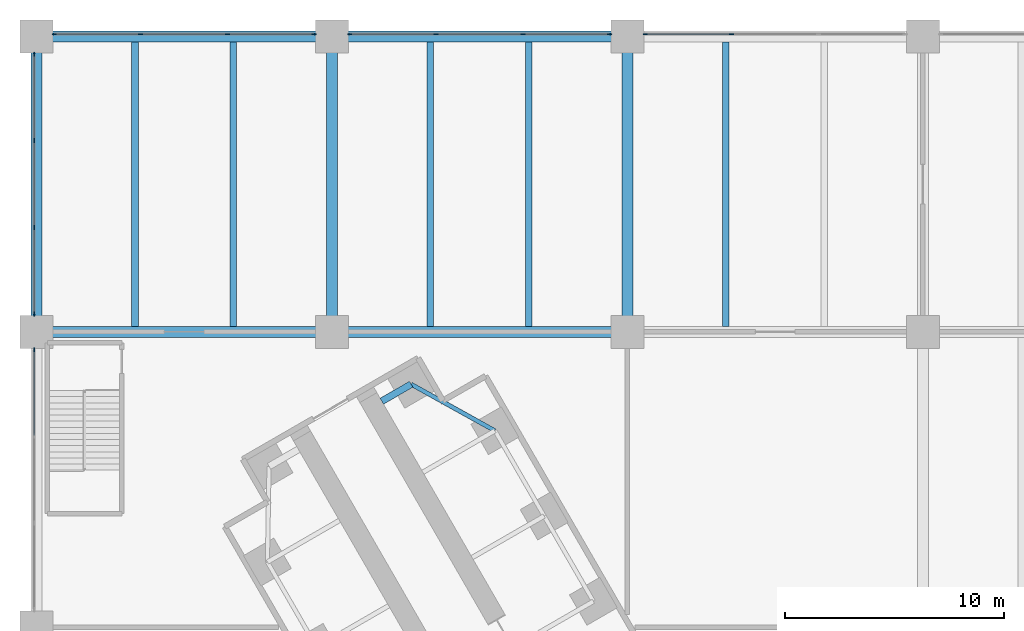
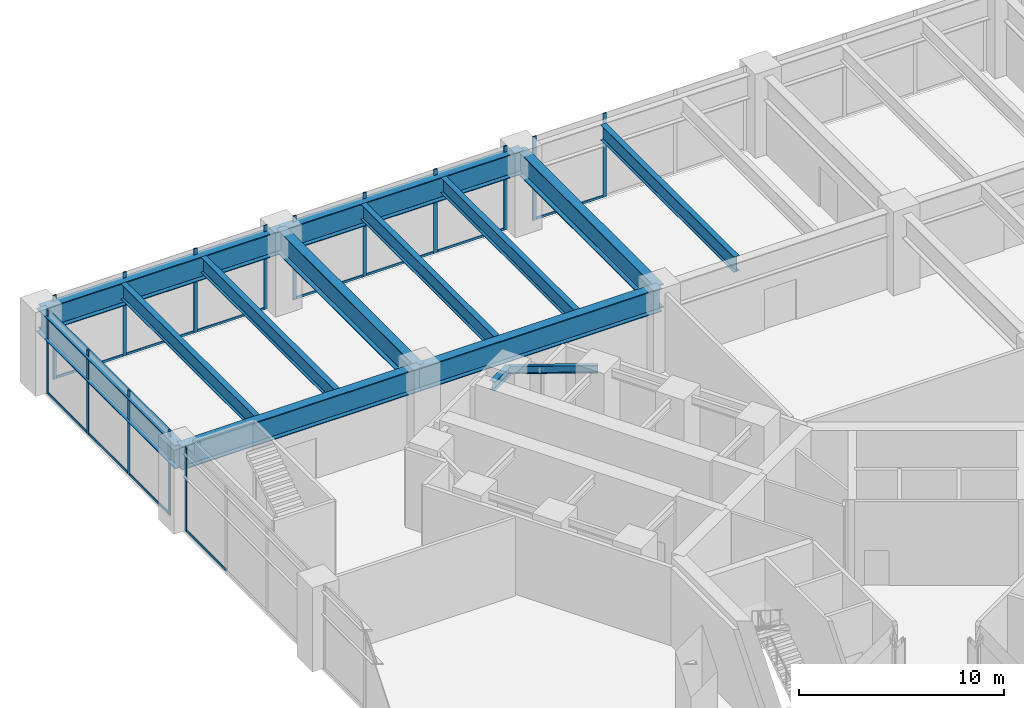
# One storey, part 13 of 31: 26 members, 14 beams, 5 elements without a shape of their own.
"""IFC4 building model written with IfcOpenShell, lengths in metres."""

from ifc_helpers import new_model, si_unit, direction, frame, origin, origin_2d, place, context, subcontext, project, spatial, rectangle, i_section, extrude, material, material_profile, profile_set, type_object, element, aggregate, save


model = new_model("IFC4")

# Units and contexts
model_context = context("Model", 3, precision=1e-05, world=origin(), true_north=direction((0.0, 1.0)))
body_context = subcontext(model_context, "Body", "Model", "MODEL_VIEW")
ifc_project = project(units=[si_unit("LENGTHUNIT", "METRE"), si_unit("AREAUNIT", "SQUARE_METRE"), si_unit("VOLUMEUNIT", "CUBIC_METRE"), si_unit("PLANEANGLEUNIT", "RADIAN"), si_unit("MASSUNIT", "GRAM", prefix="KILO")], contexts=[model_context])

# Site, building, storey
site_placement = place(None, origin())
site = spatial("IfcSite", under=ifc_project, at=site_placement, CompositionType="ELEMENT")
building_placement = place(site_placement, origin())
building = spatial("IfcBuilding", under=site, at=building_placement, Name="Upepo Twin Towers", CompositionType="ELEMENT")
storey_placement = place(building_placement, frame((0.0, 0.0, 15.5)))
storey = spatial("IfcBuildingStorey", under=building, at=storey_placement, Name="L03", CompositionType="ELEMENT", Elevation=15.5)

# Beams
ifc_material_1 = material(Name="Steel S355", Category="steel")
ifc_material_profile_1 = material_profile(ifc_material_1, i_section(OverallWidth=0.5, OverallDepth=1.39990234375, WebThickness=0.02490234375, FlangeThickness=0.050048828125, FilletRadius=0.008056640625, at=origin_2d()), Name="PG 1400x500x25x50")
ifc_profile_set_1 = profile_set([ifc_material_profile_1], Name="Steel S355")
beam_type_1 = type_object("IfcBeamType", Name="Beam PG 1400x500x25x50", PredefinedType="BEAM", material=ifc_profile_set_1)
for number, where, z_axis, x_axis, name in (
    (1, (-27.0, 27.0, 3.949951171875), (1.0, 0.0, 0.0), (0.0, 1.0, 0.0), "Podium girder F/1-2"),
    (2, (-13.5, 27.0, 3.949951171875), (1.0, 0.0, 0.0), (0.0, 1.0, 0.0), "Podium girder F/2-3"),
    (3, (-27.0, 40.5, 3.949951171875), (1.0, 0.0, 0.0), (0.0, 1.0, 0.0), "Podium girder G/1-2"),
    (4, (-13.5, 40.5, 3.949951171875), (1.0, 0.0, 0.0), (0.0, 1.0, 0.0), "Podium girder G/2-3"),
    (5, (-27.0, 27.0, 3.949951171875), (0.0, 1.0, 0.0), (-1.0, 0.0, 0.0), "Podium girder 1/F-G"),
    (6, (-13.5, 27.0, 3.949951171875), (0.0, 1.0, 0.0), (-1.0, 0.0, 0.0), "Podium girder 2/F-G"),
    (7, (0.0, 27.0, 3.949951171875), (0.0, 1.0, 0.0), (-1.0, 0.0, 0.0), "Podium girder 3/F-G"),
):
    element("IfcBeam", number, at=place(storey_placement, frame(where, z_axis=z_axis, x_axis=x_axis)), inside=storey, type_object=beam_type_1, Name=name, PredefinedType="BEAM", context=body_context, shape_type="SweptSolid", body=[
        extrude(i_section(OverallWidth=0.5, OverallDepth=1.39990234375, WebThickness=0.02490234375, FlangeThickness=0.050048828125, FilletRadius=0.008056640625, at=origin_2d()), origin(), (0.0, 0.0, 1.0), 13.5),
    ])
ifc_material_2 = material(Name="Steel S355", Category="steel")
ifc_material_profile_2 = material_profile(ifc_material_2, i_section(OverallWidth=0.1904296875, OverallDepth=0.45703125, WebThickness=0.009033203125, FlangeThickness=0.014404296875, FilletRadius=0.01025390625, at=origin_2d()), Name="UB 457x191x74")
ifc_profile_set_2 = profile_set([ifc_material_profile_2], Name="Steel S355")
beam_type_2 = type_object("IfcBeamType", Name="Beam UB 457x191x74", PredefinedType="BEAM", material=ifc_profile_set_2)
beam_1_placement = place(storey_placement, frame((-6.053955078125, 22.485595703125, 4.571533203125), z_axis=(-0.874312600038, 0.485363242752, 0.0), x_axis=(-0.485363242752, -0.874312600038, 0.0)))
element("IfcBeam", 8, at=beam_1_placement, inside=storey, type_object=beam_type_2, Name="T1 nose edge beam BR", PredefinedType="BEAM", context=body_context, shape_type="SweptSolid", body=[
    extrude(i_section(OverallWidth=0.1904296875, OverallDepth=0.45703125, WebThickness=0.009033203125, FlangeThickness=0.014404296875, FilletRadius=0.01025390625, at=origin_2d()), origin(), (0.0, 0.0, 1.0), 4.373046875),
])
ifc_material_3 = material(Name="Steel S355", Category="steel")
ifc_material_profile_3 = material_profile(ifc_material_3, i_section(OverallWidth=0.31201171875, OverallDepth=0.54345703125, WebThickness=0.0126953125, FlangeThickness=0.020263671875, FilletRadius=0.0126953125, at=origin_2d()), Name="UB 533x312x150")
ifc_profile_set_3 = profile_set([ifc_material_profile_3], Name="Steel S355")
beam_type_3 = type_object("IfcBeamType", Name="Beam UB 533x312x150", PredefinedType="BEAM", material=ifc_profile_set_3)
beam_2_placement = place(storey_placement, frame((-9.87744140625, 24.608154296875, 4.5283203125), z_axis=(-0.866043940782, -0.499967891604, 0.0), x_axis=(0.499967891604, -0.866043940782, 0.0)))
element("IfcBeam", 9, at=beam_2_placement, inside=storey, type_object=beam_type_3, Name="T1 nose beam BR", PredefinedType="BEAM", context=body_context, shape_type="SweptSolid", body=[
    extrude(i_section(OverallWidth=0.31201171875, OverallDepth=0.54345703125, WebThickness=0.0126953125, FlangeThickness=0.020263671875, FilletRadius=0.0126953125, at=origin_2d()), origin(), (0.0, 0.0, 1.0), 1.5498046875),
])

# Curtain wall, members
ifc_material_4 = material(Name="Aluminium and clear glass", Category="aluminium")
curtain_wall_type = type_object("IfcCurtainWallType", Name="Podium curtain wall PW1", PredefinedType="NOTDEFINED", material=ifc_material_4)
curtain_wall_1_placement = place(storey_placement, origin())
curtain_wall_1 = element("IfcCurtainWall", 10, at=curtain_wall_1_placement, inside=storey, type_object=curtain_wall_type, Name="Podium L03 curtain wall N7", PredefinedType="NOTDEFINED")
ifc_material_5 = material(Name="Aluminium mullion", Category="aluminium")
ifc_material_profile_4 = material_profile(ifc_material_5, rectangle(XDim=0.06494140625, YDim=0.199951171875, at=origin_2d()), Name="MULLION 65x200 PODIUM")
ifc_profile_set_4 = profile_set([ifc_material_profile_4], Name="Aluminium mullion")
member_type_1 = type_object("IfcMemberType", Name="Mullion 65x200 PW1", PredefinedType="MULLION", material=ifc_profile_set_4)
member_1_placement = place(storey_placement, frame((4.76171875, 40.60009765625, 0.0), z_axis=(0.0, 0.0, 1.0), x_axis=(0.0, -1.0, 0.0)))
member_1 = element("IfcMember", 11, at=member_1_placement, type_object=member_type_1, Name="Podium L03 curtain wall N7 mullion 3", PredefinedType="MULLION", context=body_context, shape_type="SweptSolid", body=[
    extrude(rectangle(XDim=0.06494140625, YDim=0.199951171875, at=origin_2d()), origin(), (0.0, 0.0, 1.0), 5.0),
])
member_2_placement = place(storey_placement, frame((0.8173828125, 40.60009765625, 0.0), z_axis=(0.0, 0.0, 1.0), x_axis=(0.0, -1.0, 0.0)))
member_2 = element("IfcMember", 12, at=member_2_placement, type_object=member_type_1, Name="Podium L03 curtain wall N7 mullion 4", PredefinedType="MULLION", context=body_context, shape_type="SweptSolid", body=[
    extrude(rectangle(XDim=0.06494140625, YDim=0.199951171875, at=origin_2d()), origin(), (0.0, 0.0, 1.0), 5.0),
])

curtain_wall_2_placement = place(storey_placement, origin())
curtain_wall_2 = element("IfcCurtainWall", 13, at=curtain_wall_2_placement, inside=storey, type_object=curtain_wall_type, Name="Podium L03 curtain wall N8", PredefinedType="NOTDEFINED")
member_3_placement = place(storey_placement, frame((-0.8173828125, 40.60009765625, 0.0), z_axis=(0.0, 0.0, 1.0), x_axis=(0.0, -1.0, 0.0)))
member_3 = element("IfcMember", 14, at=member_3_placement, type_object=member_type_1, Name="Podium L03 curtain wall N8 mullion 1", PredefinedType="MULLION", context=body_context, shape_type="SweptSolid", body=[
    extrude(rectangle(XDim=0.06494140625, YDim=0.199951171875, at=origin_2d()), origin(), (0.0, 0.0, 1.0), 5.0),
])
member_4_placement = place(storey_placement, frame((-4.76171875, 40.60009765625, 0.0), z_axis=(0.0, 0.0, 1.0), x_axis=(0.0, -1.0, 0.0)))
member_4 = element("IfcMember", 15, at=member_4_placement, type_object=member_type_1, Name="Podium L03 curtain wall N8 mullion 2", PredefinedType="MULLION", context=body_context, shape_type="SweptSolid", body=[
    extrude(rectangle(XDim=0.06494140625, YDim=0.199951171875, at=origin_2d()), origin(), (0.0, 0.0, 1.0), 5.0),
])
member_5_placement = place(storey_placement, frame((-8.73828125, 40.60009765625, 0.0), z_axis=(0.0, 0.0, 1.0), x_axis=(0.0, -1.0, 0.0)))
member_5 = element("IfcMember", 16, at=member_5_placement, type_object=member_type_1, Name="Podium L03 curtain wall N8 mullion 3", PredefinedType="MULLION", context=body_context, shape_type="SweptSolid", body=[
    extrude(rectangle(XDim=0.06494140625, YDim=0.199951171875, at=origin_2d()), origin(), (0.0, 0.0, 1.0), 5.0),
])
member_6_placement = place(storey_placement, frame((-12.6826171875, 40.60009765625, 0.0), z_axis=(0.0, 0.0, 1.0), x_axis=(0.0, -1.0, 0.0)))
member_6 = element("IfcMember", 17, at=member_6_placement, type_object=member_type_1, Name="Podium L03 curtain wall N8 mullion 4", PredefinedType="MULLION", context=body_context, shape_type="SweptSolid", body=[
    extrude(rectangle(XDim=0.06494140625, YDim=0.199951171875, at=origin_2d()), origin(), (0.0, 0.0, 1.0), 5.0),
])

curtain_wall_3_placement = place(storey_placement, origin())
curtain_wall_3 = element("IfcCurtainWall", 18, at=curtain_wall_3_placement, inside=storey, type_object=curtain_wall_type, Name="Podium L03 curtain wall N9", PredefinedType="NOTDEFINED")
member_7_placement = place(storey_placement, frame((-14.3173828125, 40.60009765625, 0.0), z_axis=(0.0, 0.0, 1.0), x_axis=(0.0, -1.0, 0.0)))
member_7 = element("IfcMember", 19, at=member_7_placement, type_object=member_type_1, Name="Podium L03 curtain wall N9 mullion 1", PredefinedType="MULLION", context=body_context, shape_type="SweptSolid", body=[
    extrude(rectangle(XDim=0.06494140625, YDim=0.199951171875, at=origin_2d()), origin(), (0.0, 0.0, 1.0), 5.0),
])
member_8_placement = place(storey_placement, frame((-18.26171875, 40.60009765625, 0.0), z_axis=(0.0, 0.0, 1.0), x_axis=(0.0, -1.0, 0.0)))
member_8 = element("IfcMember", 20, at=member_8_placement, type_object=member_type_1, Name="Podium L03 curtain wall N9 mullion 2", PredefinedType="MULLION", context=body_context, shape_type="SweptSolid", body=[
    extrude(rectangle(XDim=0.06494140625, YDim=0.199951171875, at=origin_2d()), origin(), (0.0, 0.0, 1.0), 5.0),
])
member_9_placement = place(storey_placement, frame((-22.23828125, 40.60009765625, 0.0), z_axis=(0.0, 0.0, 1.0), x_axis=(0.0, -1.0, 0.0)))
member_9 = element("IfcMember", 21, at=member_9_placement, type_object=member_type_1, Name="Podium L03 curtain wall N9 mullion 3", PredefinedType="MULLION", context=body_context, shape_type="SweptSolid", body=[
    extrude(rectangle(XDim=0.06494140625, YDim=0.199951171875, at=origin_2d()), origin(), (0.0, 0.0, 1.0), 5.0),
])
member_10_placement = place(storey_placement, frame((-26.1826171875, 40.60009765625, 0.0), z_axis=(0.0, 0.0, 1.0), x_axis=(0.0, -1.0, 0.0)))
member_10 = element("IfcMember", 22, at=member_10_placement, type_object=member_type_1, Name="Podium L03 curtain wall N9 mullion 4", PredefinedType="MULLION", context=body_context, shape_type="SweptSolid", body=[
    extrude(rectangle(XDim=0.06494140625, YDim=0.199951171875, at=origin_2d()), origin(), (0.0, 0.0, 1.0), 5.0),
])

curtain_wall_4_placement = place(storey_placement, origin())
curtain_wall_4 = element("IfcCurtainWall", 23, at=curtain_wall_4_placement, inside=storey, type_object=curtain_wall_type, Name="Podium L03 curtain wall W1", PredefinedType="NOTDEFINED")
member_11_placement = place(storey_placement, frame((-27.10009765625, 39.6826171875, 0.0), z_axis=(0.0, 0.0, 1.0), x_axis=(1.0, 0.0, 0.0)))
member_11 = element("IfcMember", 24, at=member_11_placement, type_object=member_type_1, Name="Podium L03 curtain wall W1 mullion 1", PredefinedType="MULLION", context=body_context, shape_type="SweptSolid", body=[
    extrude(rectangle(XDim=0.06494140625, YDim=0.199951171875, at=origin_2d()), origin(), (0.0, 0.0, 1.0), 5.0),
])
member_12_placement = place(storey_placement, frame((-27.10009765625, 35.73828125, 0.0), z_axis=(0.0, 0.0, 1.0), x_axis=(1.0, 0.0, 0.0)))
member_12 = element("IfcMember", 25, at=member_12_placement, type_object=member_type_1, Name="Podium L03 curtain wall W1 mullion 2", PredefinedType="MULLION", context=body_context, shape_type="SweptSolid", body=[
    extrude(rectangle(XDim=0.06494140625, YDim=0.199951171875, at=origin_2d()), origin(), (0.0, 0.0, 1.0), 5.0),
])
member_13_placement = place(storey_placement, frame((-27.10009765625, 31.76171875, 0.0), z_axis=(0.0, 0.0, 1.0), x_axis=(1.0, 0.0, 0.0)))
member_13 = element("IfcMember", 26, at=member_13_placement, type_object=member_type_1, Name="Podium L03 curtain wall W1 mullion 3", PredefinedType="MULLION", context=body_context, shape_type="SweptSolid", body=[
    extrude(rectangle(XDim=0.06494140625, YDim=0.199951171875, at=origin_2d()), origin(), (0.0, 0.0, 1.0), 5.0),
])
member_14_placement = place(storey_placement, frame((-27.10009765625, 27.8173828125, 0.0), z_axis=(0.0, 0.0, 1.0), x_axis=(1.0, 0.0, 0.0)))
member_14 = element("IfcMember", 27, at=member_14_placement, type_object=member_type_1, Name="Podium L03 curtain wall W1 mullion 4", PredefinedType="MULLION", context=body_context, shape_type="SweptSolid", body=[
    extrude(rectangle(XDim=0.06494140625, YDim=0.199951171875, at=origin_2d()), origin(), (0.0, 0.0, 1.0), 5.0),
])

# Curtain wall, member
curtain_wall_5_placement = place(storey_placement, origin())
curtain_wall_5 = element("IfcCurtainWall", 28, at=curtain_wall_5_placement, inside=storey, type_object=curtain_wall_type, Name="Podium L03 curtain wall W2", PredefinedType="NOTDEFINED")
member_15_placement = place(storey_placement, frame((-27.10009765625, 26.1826171875, 0.0), z_axis=(0.0, 0.0, 1.0), x_axis=(1.0, 0.0, 0.0)))
member_15 = element("IfcMember", 29, at=member_15_placement, type_object=member_type_1, Name="Podium L03 curtain wall W2 mullion 1", PredefinedType="MULLION", context=body_context, shape_type="SweptSolid", body=[
    extrude(rectangle(XDim=0.06494140625, YDim=0.199951171875, at=origin_2d()), origin(), (0.0, 0.0, 1.0), 5.0),
])

# Beams
ifc_material_6 = material(Name="Steel S355", Category="steel")
ifc_material_profile_5 = material_profile(ifc_material_6, i_section(OverallWidth=0.305419921875, OverallDepth=0.91845703125, WebThickness=0.017333984375, FlangeThickness=0.02783203125, FilletRadius=0.01904296875, at=origin_2d()), Name="UB 914x305x253")
ifc_profile_set_5 = profile_set([ifc_material_profile_5], Name="Steel S355")
beam_type_4 = type_object("IfcBeamType", Name="Secondary beam UB 914x305x253", PredefinedType="JOIST", material=ifc_profile_set_5)
for number, where, z_axis, x_axis, name in (
    (30, (-22.5, 27.25, 4.19091796875), (0.0, 1.0, 0.0), (-1.0, 0.0, 0.0), "Podium secondary beam F1.1"),
    (31, (-18.0, 27.25, 4.19091796875), (0.0, 1.0, 0.0), (-1.0, 0.0, 0.0), "Podium secondary beam F1.2"),
    (32, (-9.0, 27.25, 4.19091796875), (0.0, 1.0, 0.0), (-1.0, 0.0, 0.0), "Podium secondary beam F2.1"),
    (33, (-4.5, 27.25, 4.19091796875), (0.0, 1.0, 0.0), (-1.0, 0.0, 0.0), "Podium secondary beam F2.2"),
    (34, (4.5, 27.25, 4.19091796875), (0.0, 1.0, 0.0), (-1.0, 0.0, 0.0), "Podium secondary beam F3.1"),
):
    element("IfcBeam", number, at=place(storey_placement, frame(where, z_axis=z_axis, x_axis=x_axis)), inside=storey, type_object=beam_type_4, Name=name, PredefinedType="JOIST", context=body_context, shape_type="SweptSolid", body=[
        extrude(i_section(OverallWidth=0.305419921875, OverallDepth=0.91845703125, WebThickness=0.017333984375, FlangeThickness=0.02783203125, FilletRadius=0.01904296875, at=origin_2d()), origin(), (0.0, 0.0, 1.0), 13.0),
    ])

# Member
ifc_material_7 = material(Name="Aluminium transom", Category="aluminium")
ifc_material_profile_6 = material_profile(ifc_material_7, rectangle(XDim=0.06494140625, YDim=0.14990234375, at=origin_2d()), Name="TRANSOM 65x150 PODIUM")
ifc_profile_set_6 = profile_set([ifc_material_profile_6], Name="Aluminium transom")
member_type_2 = type_object("IfcMemberType", Name="Transom 65x150 PW1", PredefinedType="USERDEFINED", material=ifc_profile_set_6)
member_16_placement = place(storey_placement, frame((4.729248046875, 40.60009765625, 0.074951171875), z_axis=(-1.0, 0.0, 0.0), x_axis=(0.0, -1.0, 0.0)))
member_16 = element("IfcMember", 35, at=member_16_placement, type_object=member_type_2, Name="Podium L03 curtain wall N7 transom 3", ObjectType="TRANSOM", PredefinedType="USERDEFINED", context=body_context, shape_type="SweptSolid", body=[
    extrude(rectangle(XDim=0.06494140625, YDim=0.14990234375, at=origin_2d()), origin(), (0.0, 0.0, 1.0), 3.879150390625),
])

aggregate(curtain_wall_1, [member_1, member_2, member_16])

member_17_placement = place(storey_placement, frame((-0.85009765625, 40.60009765625, 0.074951171875), z_axis=(-1.0, 0.0, 0.0), x_axis=(0.0, -1.0, 0.0)))
member_17 = element("IfcMember", 36, at=member_17_placement, type_object=member_type_2, Name="Podium L03 curtain wall N8 transom 1", ObjectType="TRANSOM", PredefinedType="USERDEFINED", context=body_context, shape_type="SweptSolid", body=[
    extrude(rectangle(XDim=0.06494140625, YDim=0.14990234375, at=origin_2d()), origin(), (0.0, 0.0, 1.0), 3.879150390625),
])

member_18_placement = place(storey_placement, frame((-4.794189453125, 40.60009765625, 0.074951171875), z_axis=(-1.0, 0.0, 0.0), x_axis=(0.0, -1.0, 0.0)))
member_18 = element("IfcMember", 37, at=member_18_placement, type_object=member_type_2, Name="Podium L03 curtain wall N8 transom 2", ObjectType="TRANSOM", PredefinedType="USERDEFINED", context=body_context, shape_type="SweptSolid", body=[
    extrude(rectangle(XDim=0.06494140625, YDim=0.14990234375, at=origin_2d()), origin(), (0.0, 0.0, 1.0), 3.91162109375),
])

member_19_placement = place(storey_placement, frame((-8.770751953125, 40.60009765625, 0.074951171875), z_axis=(-1.0, 0.0, 0.0), x_axis=(0.0, -1.0, 0.0)))
member_19 = element("IfcMember", 38, at=member_19_placement, type_object=member_type_2, Name="Podium L03 curtain wall N8 transom 3", ObjectType="TRANSOM", PredefinedType="USERDEFINED", context=body_context, shape_type="SweptSolid", body=[
    extrude(rectangle(XDim=0.06494140625, YDim=0.14990234375, at=origin_2d()), origin(), (0.0, 0.0, 1.0), 3.879150390625),
])

aggregate(curtain_wall_2, [member_3, member_4, member_5, member_6, member_17, member_18, member_19])

member_20_placement = place(storey_placement, frame((-14.35009765625, 40.60009765625, 0.074951171875), z_axis=(-1.0, 0.0, 0.0), x_axis=(0.0, -1.0, 0.0)))
member_20 = element("IfcMember", 39, at=member_20_placement, type_object=member_type_2, Name="Podium L03 curtain wall N9 transom 1", ObjectType="TRANSOM", PredefinedType="USERDEFINED", context=body_context, shape_type="SweptSolid", body=[
    extrude(rectangle(XDim=0.06494140625, YDim=0.14990234375, at=origin_2d()), origin(), (0.0, 0.0, 1.0), 3.879150390625),
])

member_21_placement = place(storey_placement, frame((-18.294189453125, 40.60009765625, 0.074951171875), z_axis=(-1.0, 0.0, 0.0), x_axis=(0.0, -1.0, 0.0)))
member_21 = element("IfcMember", 40, at=member_21_placement, type_object=member_type_2, Name="Podium L03 curtain wall N9 transom 2", ObjectType="TRANSOM", PredefinedType="USERDEFINED", context=body_context, shape_type="SweptSolid", body=[
    extrude(rectangle(XDim=0.06494140625, YDim=0.14990234375, at=origin_2d()), origin(), (0.0, 0.0, 1.0), 3.91162109375),
])

member_22_placement = place(storey_placement, frame((-22.270751953125, 40.60009765625, 0.074951171875), z_axis=(-1.0, 0.0, 0.0), x_axis=(0.0, -1.0, 0.0)))
member_22 = element("IfcMember", 41, at=member_22_placement, type_object=member_type_2, Name="Podium L03 curtain wall N9 transom 3", ObjectType="TRANSOM", PredefinedType="USERDEFINED", context=body_context, shape_type="SweptSolid", body=[
    extrude(rectangle(XDim=0.06494140625, YDim=0.14990234375, at=origin_2d()), origin(), (0.0, 0.0, 1.0), 3.879150390625),
])

aggregate(curtain_wall_3, [member_7, member_8, member_9, member_10, member_20, member_21, member_22])

member_23_placement = place(storey_placement, frame((-27.10009765625, 39.64990234375, 0.074951171875), z_axis=(0.0, -1.0, 0.0), x_axis=(1.0, 0.0, 0.0)))
member_23 = element("IfcMember", 42, at=member_23_placement, type_object=member_type_2, Name="Podium L03 curtain wall W1 transom 1", ObjectType="TRANSOM", PredefinedType="USERDEFINED", context=body_context, shape_type="SweptSolid", body=[
    extrude(rectangle(XDim=0.06494140625, YDim=0.14990234375, at=origin_2d()), origin(), (0.0, 0.0, 1.0), 3.879150390625),
])

member_24_placement = place(storey_placement, frame((-27.10009765625, 35.705810546875, 0.074951171875), z_axis=(0.0, -1.0, 0.0), x_axis=(1.0, 0.0, 0.0)))
member_24 = element("IfcMember", 43, at=member_24_placement, type_object=member_type_2, Name="Podium L03 curtain wall W1 transom 2", ObjectType="TRANSOM", PredefinedType="USERDEFINED", context=body_context, shape_type="SweptSolid", body=[
    extrude(rectangle(XDim=0.06494140625, YDim=0.14990234375, at=origin_2d()), origin(), (0.0, 0.0, 1.0), 3.91162109375),
])

member_25_placement = place(storey_placement, frame((-27.10009765625, 31.729248046875, 0.074951171875), z_axis=(0.0, -1.0, 0.0), x_axis=(1.0, 0.0, 0.0)))
member_25 = element("IfcMember", 44, at=member_25_placement, type_object=member_type_2, Name="Podium L03 curtain wall W1 transom 3", ObjectType="TRANSOM", PredefinedType="USERDEFINED", context=body_context, shape_type="SweptSolid", body=[
    extrude(rectangle(XDim=0.06494140625, YDim=0.14990234375, at=origin_2d()), origin(), (0.0, 0.0, 1.0), 3.879150390625),
])

aggregate(curtain_wall_4, [member_11, member_12, member_13, member_14, member_23, member_24, member_25])

member_26_placement = place(storey_placement, frame((-27.10009765625, 26.14990234375, 0.074951171875), z_axis=(0.0, -1.0, 0.0), x_axis=(1.0, 0.0, 0.0)))
member_26 = element("IfcMember", 45, at=member_26_placement, type_object=member_type_2, Name="Podium L03 curtain wall W2 transom 1", ObjectType="TRANSOM", PredefinedType="USERDEFINED", context=body_context, shape_type="SweptSolid", body=[
    extrude(rectangle(XDim=0.06494140625, YDim=0.14990234375, at=origin_2d()), origin(), (0.0, 0.0, 1.0), 3.879150390625),
])

aggregate(curtain_wall_5, [member_15, member_26])

save(model, "model.ifc")
